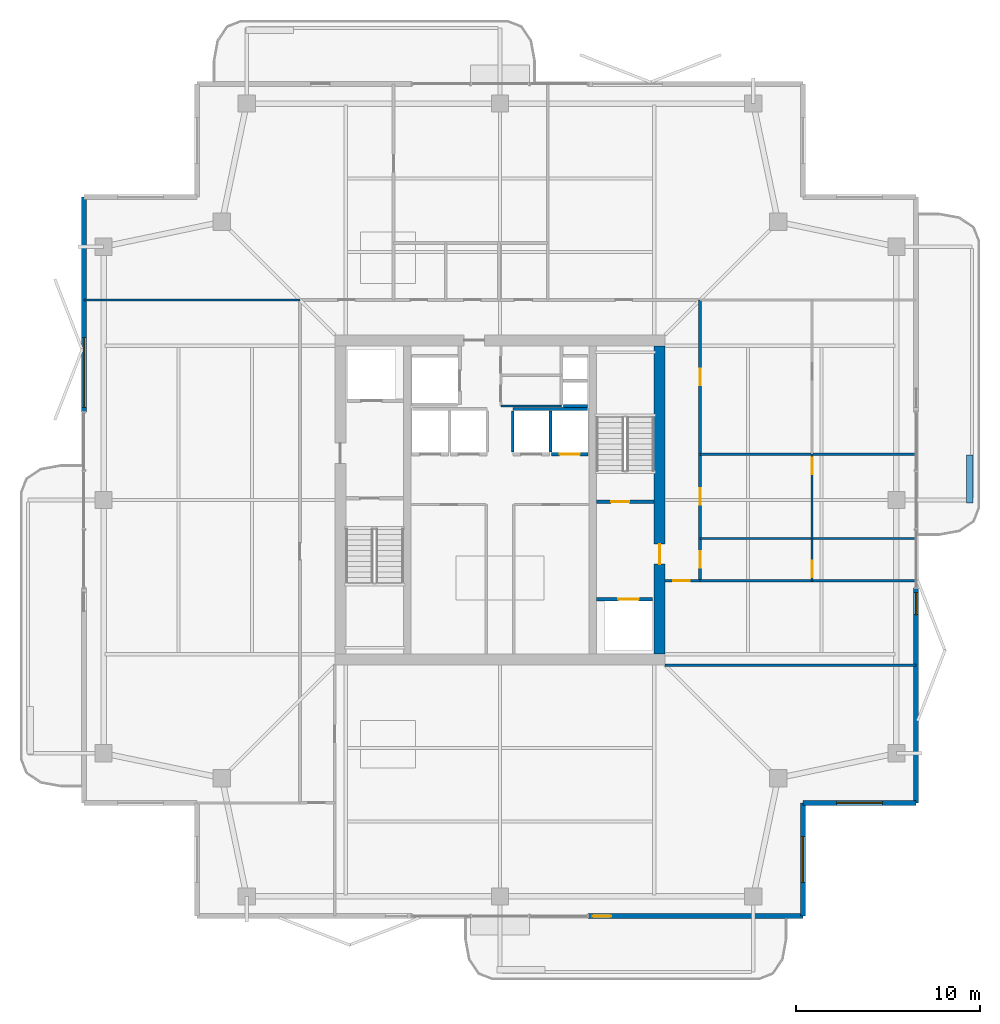
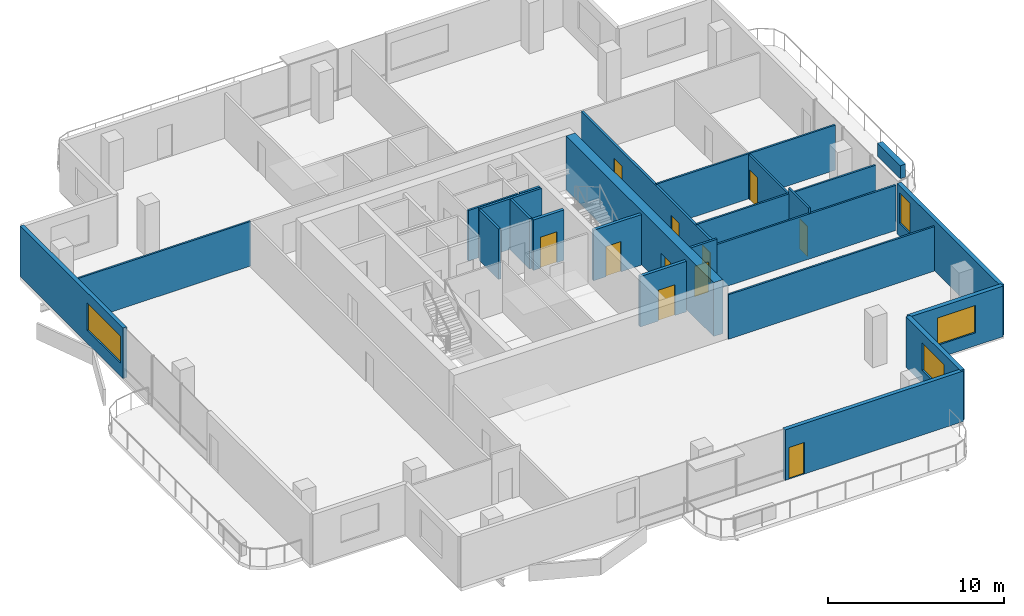
# One storey, part 13 of 18: 24 walls, 11 doors, 4 windows, 15 openings.
"""IFC4 building model written with IfcOpenShell, lengths in metres."""

from ifc_helpers import new_model, si_unit, direction, frame, frame_2d, origin, place, context, subcontext, project, spatial, rectangle, extrude, material, layer, layer_set, type_object, element, fill, save


model = new_model("IFC4")

# Units and contexts
model_context = context("Model", 3, precision=1e-05, world=origin(), true_north=direction((0.0, 1.0)))
body_context = subcontext(model_context, "Body", "Model", "MODEL_VIEW")
ifc_project = project(units=[si_unit("LENGTHUNIT", "METRE"), si_unit("AREAUNIT", "SQUARE_METRE"), si_unit("VOLUMEUNIT", "CUBIC_METRE"), si_unit("PLANEANGLEUNIT", "RADIAN"), si_unit("MASSUNIT", "GRAM", prefix="KILO")], contexts=[model_context])

# Site, building, storey
site_placement = place(None, origin())
site = spatial("IfcSite", under=ifc_project, at=site_placement, CompositionType="ELEMENT")
building_placement = place(site_placement, origin())
building = spatial("IfcBuilding", under=site, at=building_placement, Name="Belovzor Exchange Tower", CompositionType="ELEMENT")
storey_placement = place(building_placement, frame((0.0, 0.0, 318.0)))
storey = spatial("IfcBuildingStorey", under=building, at=storey_placement, Name="L79", CompositionType="ELEMENT", Elevation=318.0)

# Walls
ifc_material_1 = material(Name="Acoustic Plasterboard on Galvanised Studs", Category="gypsum")
ifc_layer_1 = layer(ifc_material_1, 0.1201171875)
ifc_layer_set_1 = layer_set([ifc_layer_1], Name="Acoustic Plasterboard on Galvanised Studs")
wall_type_1 = type_object("IfcWallType", Name="Acoustic Double-Stud Partition Wall 120", PredefinedType="PARTITIONING", material=ifc_layer_set_1)
wall_1_placement = place(storey_placement, frame((37.800048828125, 19.800048828125, 0.0), z_axis=(0.0, 0.0, 1.0), x_axis=(1.0, 0.0, 0.0)))
element("IfcWall", 1, at=wall_1_placement, inside=storey, type_object=wall_type_1, Name="W-P120 Partition Wall W-L79-ESS", PredefinedType="PARTITIONING", context=body_context, shape_type="SweptSolid", body=[
    extrude(rectangle(XDim=13.669921875, YDim=0.1201171875, at=frame_2d((6.8349609375, 0.0))), origin(), (0.0, 0.0, 1.0), 3.094970703125),
])
wall_2_placement = place(storey_placement, frame((39.699951171875, 24.39990234375, 0.0), z_axis=(0.0, 0.0, 1.0), x_axis=(1.0, 0.0, 0.0)))
element("IfcWall", 2, at=wall_2_placement, inside=storey, type_object=wall_type_1, Name="W-P120 Partition Wall W-L79-ESN", PredefinedType="PARTITIONING", context=body_context, shape_type="SweptSolid", body=[
    extrude(rectangle(XDim=11.77001953125, YDim=0.1201171875, at=frame_2d((5.885009765625, 0.0))), origin(), (0.0, 0.0, 1.0), 3.135009765625),
])

# Wall, opening, door
wall_3_placement = place(storey_placement, frame((45.802978515625, 24.39990234375, 0.0), z_axis=(0.0, 0.0, 1.0), x_axis=(0.0, 1.0, 0.0)))
wall_3 = element("IfcWall", 3, at=wall_3_placement, inside=storey, type_object=wall_type_1, Name="W-P120 Partition Wall W-L79-EHDIV-0", PredefinedType="PARTITIONING", context=body_context, shape_type="SweptSolid", body=[
    extrude(rectangle(XDim=2.300048828125, YDim=0.1201171875, at=frame_2d((1.14990234375, 0.0))), origin(), (0.0, 0.0, 1.0), 3.510009765625),
])
opening_1_placement = place(wall_3_placement, frame((0.199951171875, 0.0, 0.0)))
opening_1 = element("IfcOpeningElement", 4, at=opening_1_placement, cuts=wall_3, Name="Opening D-INT-090", PredefinedType="OPENING", context=body_context, shape_type="SweptSolid", body=[
    extrude(rectangle(XDim=0.89990234375, YDim=2.10009765625, at=frame_2d((0.449951171875, 1.050048828125))), frame((0.0, 0.070068359375, 0.0), z_axis=(0.0, -1.0, 0.0), x_axis=(1.0, 0.0, 0.0)), (0.0, 0.0, 1.0), 0.14013671875),
])
ifc_material_2 = material(Name="Veneered Hardwood Acoustic Leaf", Category="wood")
door_type_1 = type_object("IfcDoorType", Name="Trading Suite Acoustic Single Door 900x2100", OperationType="NOTDEFINED", PredefinedType="DOOR", material=ifc_material_2)
door_1_placement = place(opening_1_placement, origin())
door_1 = element("IfcDoor", 5, at=door_1_placement, inside=storey, type_object=door_type_1, Name="D-INT-090 Trading Suite Acoustic Single Door 900x2100", OperationType="SINGLE_SWING_RIGHT", OverallHeight=2.10009765625, OverallWidth=0.89990234375, PredefinedType="DOOR", context=body_context, shape_type="SweptSolid", body=[
    extrude(rectangle(XDim=0.89990234375, YDim=2.10009765625, at=frame_2d((0.449951171875, 1.050048828125))), frame((0.0, 0.02490234375, 0.0), z_axis=(0.0, -1.0, 0.0), x_axis=(1.0, 0.0, 0.0)), (0.0, 0.0, 1.0), 0.050048828125),
])
fill(opening_1, door_1)

# Wall
wall_4_placement = place(storey_placement, frame((39.699951171875, 26.699951171875, 0.0), z_axis=(0.0, 0.0, 1.0), x_axis=(1.0, 0.0, 0.0)))
element("IfcWall", 6, at=wall_4_placement, inside=storey, type_object=wall_type_1, Name="W-P120 Partition Wall W-L79-EDIV-1", PredefinedType="PARTITIONING", context=body_context, shape_type="SweptSolid", body=[
    extrude(rectangle(XDim=11.77001953125, YDim=0.1201171875, at=frame_2d((5.885009765625, 0.0))), origin(), (0.0, 0.0, 1.0), 3.135009765625),
])

# Wall, opening, door
wall_5_placement = place(storey_placement, frame((45.802978515625, 26.699951171875, 0.0), z_axis=(0.0, 0.0, 1.0), x_axis=(0.0, 1.0, 0.0)))
wall_5 = element("IfcWall", 7, at=wall_5_placement, inside=storey, type_object=wall_type_1, Name="W-P120 Partition Wall W-L79-EHDIV-1", PredefinedType="PARTITIONING", context=body_context, shape_type="SweptSolid", body=[
    extrude(rectangle(XDim=4.594970703125, YDim=0.1201171875, at=frame_2d((2.29736328125, 0.0))), origin(), (0.0, 0.0, 1.0), 3.094970703125),
])
opening_2_placement = place(wall_5_placement, frame((3.4951171875, 0.0, 0.0)))
opening_2 = element("IfcOpeningElement", 8, at=opening_2_placement, cuts=wall_5, Name="Opening D-INT-090", PredefinedType="OPENING", context=body_context, shape_type="SweptSolid", body=[
    extrude(rectangle(XDim=0.89990234375, YDim=2.10009765625, at=frame_2d((0.449951171875, 1.050048828125))), frame((0.0, 0.070068359375, 0.0), z_axis=(0.0, -1.0, 0.0), x_axis=(1.0, 0.0, 0.0)), (0.0, 0.0, 1.0), 0.14013671875),
])
door_2_placement = place(opening_2_placement, origin())
door_2 = element("IfcDoor", 9, at=door_2_placement, inside=storey, type_object=door_type_1, Name="D-INT-090 Trading Suite Acoustic Single Door 900x2100", OperationType="SINGLE_SWING_RIGHT", OverallHeight=2.10009765625, OverallWidth=0.89990234375, PredefinedType="DOOR", context=body_context, shape_type="SweptSolid", body=[
    extrude(rectangle(XDim=0.89990234375, YDim=2.10009765625, at=frame_2d((0.449951171875, 1.050048828125))), frame((0.0, 0.02490234375, 0.0), z_axis=(0.0, -1.0, 0.0), x_axis=(1.0, 0.0, 0.0)), (0.0, 0.0, 1.0), 0.050048828125),
])
fill(opening_2, door_2)

# Walls
wall_6_placement = place(storey_placement, frame((39.699951171875, 31.294921875, 0.0), z_axis=(0.0, 0.0, 1.0), x_axis=(1.0, 0.0, 0.0)))
element("IfcWall", 10, at=wall_6_placement, inside=storey, type_object=wall_type_1, Name="W-P120 Partition Wall W-L79-EDIV-2", PredefinedType="PARTITIONING", context=body_context, shape_type="SweptSolid", body=[
    extrude(rectangle(XDim=11.77001953125, YDim=0.1201171875, at=frame_2d((5.885009765625, 0.0))), origin(), (0.0, 0.0, 1.0), 3.135009765625),
])
wall_7_placement = place(storey_placement, frame((6.1298828125, 39.699951171875, 0.0), z_axis=(0.0, 0.0, 1.0), x_axis=(1.0, 0.0, 0.0)))
element("IfcWall", 11, at=wall_7_placement, inside=storey, type_object=wall_type_1, Name="W-P120 Partition Wall W-L79-END-NW", PredefinedType="PARTITIONING", context=body_context, shape_type="SweptSolid", body=[
    extrude(rectangle(XDim=11.77001953125, YDim=0.1201171875, at=frame_2d((5.885009765625, 0.0))), origin(), (0.0, 0.0, 1.0), 3.094970703125),
])
ifc_material_3 = material(Name="Fire-Rated Plasterboard on Galvanised Studs", Category="gypsum")
ifc_layer_2 = layer(ifc_material_3, 0.1201171875)
ifc_layer_set_2 = layer_set([ifc_layer_2], Name="Fire-Rated Plasterboard on Galvanised Studs")
wall_type_2 = type_object("IfcWallType", Name="Fire-Rated Double-Stud Partition Wall 120", PredefinedType="PARTITIONING", material=ifc_layer_set_2)
wall_8_placement = place(storey_placement, frame((28.85009765625, 33.925048828125, 0.0), z_axis=(0.0, 0.0, 1.0), x_axis=(1.0, 0.0, 0.0)))
element("IfcWall", 12, at=wall_8_placement, inside=storey, type_object=wall_type_2, Name="W-P120F Partition Wall W-CRV-L79-S", PredefinedType="PARTITIONING", context=body_context, shape_type="SweptSolid", body=[
    extrude(rectangle(XDim=3.2998046875, YDim=0.1201171875, at=frame_2d((1.64990234375, 0.0))), origin(), (0.0, 0.0, 1.0), 3.510009765625),
])

# Wall, opening, door
ifc_material_4 = material(Name="Fire-Rated Gypsum Block and Mineral Wool", Category="gypsum")
ifc_layer_3 = layer(ifc_material_4, 0.14990234375)
ifc_layer_set_3 = layer_set([ifc_layer_3], Name="Fire-Rated Gypsum Block and Mineral Wool")
wall_type_3 = type_object("IfcWallType", Name="Fire-Rated Gypsum Block Corridor Wall 150", PredefinedType="PARTITIONING", material=ifc_layer_set_3)
wall_9_placement = place(storey_placement, frame((37.800048828125, 24.39990234375, 0.0), z_axis=(0.0, 0.0, 1.0), x_axis=(1.0, 0.0, 0.0)))
wall_9 = element("IfcWall", 13, at=wall_9_placement, inside=storey, type_object=wall_type_3, Name="W-P150 Partition Wall W-L79-CE-END", PredefinedType="PARTITIONING", context=body_context, shape_type="SweptSolid", body=[
    extrude(rectangle(XDim=1.89990234375, YDim=0.14990234375, at=frame_2d((0.949951171875, 0.0))), origin(), (0.0, 0.0, 1.0), 3.510009765625),
])
opening_3_placement = place(wall_9_placement, frame((0.449951171875, 0.0, 0.0)))
opening_3 = element("IfcOpeningElement", 14, at=opening_3_placement, cuts=wall_9, Name="Opening D-FD60-090", PredefinedType="OPENING", context=body_context, shape_type="SweptSolid", body=[
    extrude(rectangle(XDim=0.89990234375, YDim=2.10009765625, at=frame_2d((0.449951171875, 1.050048828125))), frame((0.0, 0.0849609375, 0.0), z_axis=(0.0, -1.0, 0.0), x_axis=(1.0, 0.0, 0.0)), (0.0, 0.0, 1.0), 0.169921875),
])
ifc_material_5 = material(Name="Acoustic Timber Fire Leaf", Category="wood")
door_type_2 = type_object("IfcDoorType", Name="Core Service & Restroom Fire Door 900x2100", OperationType="NOTDEFINED", PredefinedType="DOOR", material=ifc_material_5)
door_3_placement = place(opening_3_placement, origin())
door_3 = element("IfcDoor", 15, at=door_3_placement, inside=storey, type_object=door_type_2, Name="D-FD60-090 Core Service & Restroom Fire Door 900x2100", OperationType="SINGLE_SWING_LEFT", OverallHeight=2.10009765625, OverallWidth=0.89990234375, PredefinedType="DOOR", context=body_context, shape_type="SweptSolid", body=[
    extrude(rectangle(XDim=0.89990234375, YDim=2.10009765625, at=frame_2d((0.449951171875, 1.050048828125))), frame((0.0, 0.02490234375, 0.0), z_axis=(0.0, -1.0, 0.0), x_axis=(1.0, 0.0, 0.0)), (0.0, 0.0, 1.0), 0.050048828125),
])
fill(opening_3, door_3)

# Wall, openings, doors
wall_10_placement = place(storey_placement, frame((39.699951171875, 24.39990234375, 0.0), z_axis=(0.0, 0.0, 1.0), x_axis=(0.0, 1.0, 0.0)))
wall_10 = element("IfcWall", 16, at=wall_10_placement, inside=storey, type_object=wall_type_3, Name="W-P150 Partition Wall W-L79-CE", PredefinedType="PARTITIONING", context=body_context, shape_type="SweptSolid", body=[
    extrude(rectangle(XDim=15.300048828125, YDim=0.14990234375, at=frame_2d((7.64990234375, 0.0))), origin(), (0.0, 0.0, 1.0), 3.094970703125),
])
opening_4_placement = place(wall_10_placement, frame((0.699951171875, 0.0, 0.0)))
opening_4 = element("IfcOpeningElement", 17, at=opening_4_placement, cuts=wall_10, Name="Opening D-INT-090", PredefinedType="OPENING", context=body_context, shape_type="SweptSolid", body=[
    extrude(rectangle(XDim=0.89990234375, YDim=2.10009765625, at=frame_2d((0.449951171875, 1.050048828125))), frame((0.0, 0.0849609375, 0.0), z_axis=(0.0, -1.0, 0.0), x_axis=(1.0, 0.0, 0.0)), (0.0, 0.0, 1.0), 0.169921875),
])
opening_5_placement = place(wall_10_placement, frame((4.14794921875, 0.0, 0.0)))
opening_5 = element("IfcOpeningElement", 18, at=opening_5_placement, cuts=wall_10, Name="Opening D-INT-090", PredefinedType="OPENING", context=body_context, shape_type="SweptSolid", body=[
    extrude(rectangle(XDim=0.89990234375, YDim=2.10009765625, at=frame_2d((0.449951171875, 1.050048828125))), frame((0.0, 0.0849609375, 0.0), z_axis=(0.0, -1.0, 0.0), x_axis=(1.0, 0.0, 0.0)), (0.0, 0.0, 1.0), 0.169921875),
])
opening_6_placement = place(wall_10_placement, frame((10.64794921875, 0.0, 0.0)))
opening_6 = element("IfcOpeningElement", 19, at=opening_6_placement, cuts=wall_10, Name="Opening D-INT-090", PredefinedType="OPENING", context=body_context, shape_type="SweptSolid", body=[
    extrude(rectangle(XDim=0.89990234375, YDim=2.10009765625, at=frame_2d((0.449951171875, 1.050048828125))), frame((0.0, 0.0849609375, 0.0), z_axis=(0.0, -1.0, 0.0), x_axis=(1.0, 0.0, 0.0)), (0.0, 0.0, 1.0), 0.169921875),
])
door_4_placement = place(opening_4_placement, origin())
door_4 = element("IfcDoor", 20, at=door_4_placement, inside=storey, type_object=door_type_1, Name="D-INT-090 Trading Suite Acoustic Single Door 900x2100", OperationType="SINGLE_SWING_LEFT", OverallHeight=2.10009765625, OverallWidth=0.89990234375, PredefinedType="DOOR", context=body_context, shape_type="SweptSolid", body=[
    extrude(rectangle(XDim=0.89990234375, YDim=2.10009765625, at=frame_2d((0.449951171875, 1.050048828125))), frame((0.0, 0.02490234375, 0.0), z_axis=(0.0, -1.0, 0.0), x_axis=(1.0, 0.0, 0.0)), (0.0, 0.0, 1.0), 0.050048828125),
])
fill(opening_4, door_4)
door_5_placement = place(opening_5_placement, origin())
door_5 = element("IfcDoor", 21, at=door_5_placement, inside=storey, type_object=door_type_1, Name="D-INT-090 Trading Suite Acoustic Single Door 900x2100", OperationType="SINGLE_SWING_RIGHT", OverallHeight=2.10009765625, OverallWidth=0.89990234375, PredefinedType="DOOR", context=body_context, shape_type="SweptSolid", body=[
    extrude(rectangle(XDim=0.89990234375, YDim=2.10009765625, at=frame_2d((0.449951171875, 1.050048828125))), frame((0.0, 0.02490234375, 0.0), z_axis=(0.0, -1.0, 0.0), x_axis=(1.0, 0.0, 0.0)), (0.0, 0.0, 1.0), 0.050048828125),
])
fill(opening_5, door_5)
door_6_placement = place(opening_6_placement, origin())
door_6 = element("IfcDoor", 22, at=door_6_placement, inside=storey, type_object=door_type_1, Name="D-INT-090 Trading Suite Acoustic Single Door 900x2100", OperationType="SINGLE_SWING_LEFT", OverallHeight=2.10009765625, OverallWidth=0.89990234375, PredefinedType="DOOR", context=body_context, shape_type="SweptSolid", body=[
    extrude(rectangle(XDim=0.89990234375, YDim=2.10009765625, at=frame_2d((0.449951171875, 1.050048828125))), frame((0.0, 0.02490234375, 0.0), z_axis=(0.0, -1.0, 0.0), x_axis=(1.0, 0.0, 0.0)), (0.0, 0.0, 1.0), 0.050048828125),
])
fill(opening_6, door_6)

# Wall, opening, window
ifc_material_6 = material(Name="Precast concrete C40/50", Category="concrete")
ifc_layer_4 = layer(ifc_material_6, 0.280029296875)
ifc_layer_set_4 = layer_set([ifc_layer_4], Name="Precast concrete C40/50")
wall_type_4 = type_object("IfcWallType", Name="Precast Concrete Notched Corner Frame Wall 280", PredefinedType="SOLIDWALL", material=ifc_layer_set_4)
wall_11_placement = place(storey_placement, frame((51.469970703125, 12.300048828125, 0.0), z_axis=(0.0, 0.0, 1.0), x_axis=(-1.0, 0.0, 0.0)))
wall_11 = element("IfcWall", 23, at=wall_11_placement, inside=storey, type_object=wall_type_4, Name="W-CRN280 Precast Concrete Notched Corner Frame Wall 280 L79", PredefinedType="SOLIDWALL", context=body_context, shape_type="SweptSolid", body=[
    extrude(rectangle(XDim=6.169921875, YDim=0.280029296875, at=frame_2d((3.0849609375, 0.0))), origin(), (0.0, 0.0, 1.0), 3.510009765625),
])
opening_7_placement = place(wall_11_placement, frame((1.8349609375, 0.0, 0.89990234375)))
opening_7 = element("IfcOpeningElement", 24, at=opening_7_placement, cuts=wall_11, Name="Opening WN-CRN250", PredefinedType="OPENING", context=body_context, shape_type="SweptSolid", body=[
    extrude(rectangle(XDim=2.5, YDim=1.89990234375, at=frame_2d((1.25, 0.949951171875))), frame((0.0, 0.14990234375, 0.0), z_axis=(0.0, -1.0, 0.0), x_axis=(1.0, 0.0, 0.0)), (0.0, 0.0, 1.0), 0.300048828125),
])
ifc_material_7 = material(Name="Thermally Broken Aluminium and Triple Glazing", Category="aluminium")
window_type_1 = type_object("IfcWindowType", Name="Streamline Moderne Corner Wrap Ribbon Window 2500x1900", PartitioningType="SINGLE_PANEL", PredefinedType="WINDOW", material=ifc_material_7)
window_1_placement = place(opening_7_placement, origin())
window_1 = element("IfcWindow", 25, at=window_1_placement, inside=storey, type_object=window_type_1, Name="WN-CRN250 Streamline Moderne Corner Wrap Ribbon Window 2500x1900", OverallHeight=1.89990234375, OverallWidth=2.5, PartitioningType="SINGLE_PANEL", PredefinedType="WINDOW", context=body_context, shape_type="SweptSolid", body=[
    extrude(rectangle(XDim=2.5, YDim=1.89990234375, at=frame_2d((1.25, 0.949951171875))), frame((0.0, 0.030029296875, 0.0), z_axis=(0.0, -1.0, 0.0), x_axis=(1.0, 0.0, 0.0)), (0.0, 0.0, 1.0), 0.06005859375),
])
fill(opening_7, window_1)

wall_12_placement = place(storey_placement, frame((45.300048828125, 12.300048828125, 0.0), z_axis=(0.0, 0.0, 1.0), x_axis=(0.0, -1.0, 0.0)))
wall_12 = element("IfcWall", 26, at=wall_12_placement, inside=storey, type_object=wall_type_4, Name="W-CRN280 Precast Concrete Notched Corner Frame Wall 280 L79", PredefinedType="SOLIDWALL", context=body_context, shape_type="SweptSolid", body=[
    extrude(rectangle(XDim=6.170166015625, YDim=0.280029296875, at=frame_2d((3.0849609375, 0.0))), origin(), (0.0, 0.0, 1.0), 3.510009765625),
])
opening_8_placement = place(wall_12_placement, frame((1.8349609375, 0.0, 0.89990234375)))
opening_8 = element("IfcOpeningElement", 27, at=opening_8_placement, cuts=wall_12, Name="Opening WN-CRN250", PredefinedType="OPENING", context=body_context, shape_type="SweptSolid", body=[
    extrude(rectangle(XDim=2.5, YDim=1.89990234375, at=frame_2d((1.25, 0.949951171875))), frame((0.0, 0.14990234375, 0.0), z_axis=(0.0, -1.0, 0.0), x_axis=(1.0, 0.0, 0.0)), (0.0, 0.0, 1.0), 0.300048828125),
])
window_2_placement = place(opening_8_placement, origin())
window_2 = element("IfcWindow", 28, at=window_2_placement, inside=storey, type_object=window_type_1, Name="WN-CRN250 Streamline Moderne Corner Wrap Ribbon Window 2500x1900", OverallHeight=1.89990234375, OverallWidth=2.5, PartitioningType="SINGLE_PANEL", PredefinedType="WINDOW", context=body_context, shape_type="SweptSolid", body=[
    extrude(rectangle(XDim=2.5, YDim=1.89990234375, at=frame_2d((1.25, 0.949951171875))), frame((0.0, 0.030029296875, 0.0), z_axis=(0.0, -1.0, 0.0), x_axis=(1.0, 0.0, 0.0)), (0.0, 0.0, 1.0), 0.06005859375),
])
fill(opening_8, window_2)

# Wall, opening, door
ifc_material_8 = material(Name="Precast concrete C40/50", Category="concrete")
ifc_layer_5 = layer(ifc_material_8, 0.260009765625)
ifc_layer_set_5 = layer_set([ifc_layer_5], Name="Precast concrete C40/50")
wall_type_5 = type_object("IfcWallType", Name="Precast Concrete Perimeter Loggia Frame Wall 260", PredefinedType="SOLIDWALL", material=ifc_layer_set_5)
wall_13_placement = place(storey_placement, frame((45.300048828125, 6.1298828125, 0.0), z_axis=(0.0, 0.0, 1.0), x_axis=(-1.0, 0.0, 0.0)))
wall_13 = element("IfcWall", 29, at=wall_13_placement, inside=storey, type_object=wall_type_5, Name="W-EXT260 Precast Concrete Perimeter Loggia Frame Wall 260 L79", PredefinedType="SOLIDWALL", context=body_context, shape_type="SweptSolid", body=[
    extrude(rectangle(XDim=11.699951171875, YDim=0.260009765625, at=frame_2d((5.85009765625, 0.0))), origin(), (0.0, 0.0, 1.0), 3.510009765625),
])
opening_9_placement = place(wall_13_placement, frame((10.449951171875, 0.0, 0.0)))
opening_9 = element("IfcOpeningElement", 30, at=opening_9_placement, cuts=wall_13, Name="Opening D-BAL100", PredefinedType="OPENING", context=body_context, shape_type="SweptSolid", body=[
    extrude(rectangle(XDim=1.0, YDim=2.199951171875, at=frame_2d((0.5, 1.10009765625))), frame((0.0, 0.139892578125, 0.0), z_axis=(0.0, -1.0, 0.0), x_axis=(1.0, 0.0, 0.0)), (0.0, 0.0, 1.0), 0.280029296875),
])
ifc_material_9 = material(Name="Thermally Broken Anodised Aluminium and Laminated Glass", Category="aluminium")
door_type_3 = type_object("IfcDoorType", Name="Planted Loggia Terrace Glazed Door 1000x2200", OperationType="SINGLE_SWING_LEFT", PredefinedType="DOOR", material=ifc_material_9)
door_7_placement = place(opening_9_placement, origin())
door_7 = element("IfcDoor", 31, at=door_7_placement, inside=storey, type_object=door_type_3, Name="D-BAL100 Balcony Terrace Door L79 S", OperationType="SINGLE_SWING_LEFT", OverallHeight=2.199951171875, OverallWidth=1.0, PredefinedType="DOOR", context=body_context, shape_type="SweptSolid", body=[
    extrude(rectangle(XDim=1.0, YDim=2.199951171875, at=frame_2d((0.5, 1.10009765625))), frame((0.0, 0.02490234375, 0.0), z_axis=(0.0, -1.0, 0.0), x_axis=(1.0, 0.0, 0.0)), (0.0, 0.0, 1.0), 0.050048828125),
])
fill(opening_9, door_7)

# Wall, opening, window
wall_14_placement = place(storey_placement, frame((6.1298828125, 33.60009765625, 0.0), z_axis=(0.0, 0.0, 1.0), x_axis=(0.0, 1.0, 0.0)))
wall_14 = element("IfcWall", 32, at=wall_14_placement, inside=storey, type_object=wall_type_5, Name="W-EXT260 Precast Concrete Perimeter Loggia Frame Wall 260 L79", PredefinedType="SOLIDWALL", context=body_context, shape_type="SweptSolid", body=[
    extrude(rectangle(XDim=11.699951171875, YDim=0.260009765625, at=frame_2d((5.85009765625, 0.0))), origin(), (0.0, 0.0, 1.0), 3.510009765625),
])
opening_10_placement = place(wall_14_placement, frame((0.25, 0.0, 0.89990234375)))
opening_10 = element("IfcOpeningElement", 33, at=opening_10_placement, cuts=wall_14, Name="Opening WN-RIB380", PredefinedType="OPENING", context=body_context, shape_type="SweptSolid", body=[
    extrude(rectangle(XDim=3.800048828125, YDim=1.89990234375, at=frame_2d((1.89990234375, 0.949951171875))), frame((0.0, 0.139892578125, 0.0), z_axis=(0.0, -1.0, 0.0), x_axis=(1.0, 0.0, 0.0)), (0.0, 0.0, 1.0), 0.280029296875),
])
ifc_material_10 = material(Name="Thermally Broken Aluminium and Triple Glazing", Category="aluminium")
window_type_2 = type_object("IfcWindowType", Name="Streamline Moderne Horizontal Ribbon Window 3800x1900", PartitioningType="SINGLE_PANEL", PredefinedType="WINDOW", material=ifc_material_10)
window_3_placement = place(opening_10_placement, origin())
window_3 = element("IfcWindow", 34, at=window_3_placement, inside=storey, type_object=window_type_2, Name="WN-RIB380 Streamline Moderne Horizontal Ribbon Window 3800x1900", OverallHeight=1.89990234375, OverallWidth=3.800048828125, PartitioningType="SINGLE_PANEL", PredefinedType="WINDOW", context=body_context, shape_type="SweptSolid", body=[
    extrude(rectangle(XDim=3.800048828125, YDim=1.89990234375, at=frame_2d((1.89990234375, 0.949951171875))), frame((0.0, 0.030029296875, 0.0), z_axis=(0.0, -1.0, 0.0), x_axis=(1.0, 0.0, 0.0)), (0.0, 0.0, 1.0), 0.06005859375),
])
fill(opening_10, window_3)

wall_15_placement = place(storey_placement, frame((51.469970703125, 24.0, 0.0), z_axis=(0.0, 0.0, 1.0), x_axis=(0.0, -1.0, 0.0)))
wall_15 = element("IfcWall", 35, at=wall_15_placement, inside=storey, type_object=wall_type_5, Name="W-EXT260 Precast Concrete Perimeter Loggia Frame Wall 260 L79", PredefinedType="SOLIDWALL", context=body_context, shape_type="SweptSolid", body=[
    extrude(rectangle(XDim=11.699951171875, YDim=0.260009765625, at=frame_2d((5.85009765625, 0.0))), origin(), (0.0, 0.0, 1.0), 3.510009765625),
])
opening_11_placement = place(wall_15_placement, frame((0.25, 0.0, 0.89990234375)))
opening_11 = element("IfcOpeningElement", 36, at=opening_11_placement, cuts=wall_15, Name="Opening WN-CRN120", PredefinedType="OPENING", context=body_context, shape_type="SweptSolid", body=[
    extrude(rectangle(XDim=1.199951171875, YDim=2.10009765625, at=frame_2d((0.60009765625, 1.050048828125))), frame((0.0, 0.139892578125, 0.0), z_axis=(0.0, -1.0, 0.0), x_axis=(1.0, 0.0, 0.0)), (0.0, 0.0, 1.0), 0.280029296875),
])
ifc_material_11 = material(Name="Thermally Broken Aluminium and Triple Glazing", Category="aluminium")
window_type_3 = type_object("IfcWindowType", Name="Streamline Notched Corner Window 1200x2100", PartitioningType="SINGLE_PANEL", PredefinedType="WINDOW", material=ifc_material_11)
window_4_placement = place(opening_11_placement, origin())
window_4 = element("IfcWindow", 37, at=window_4_placement, inside=storey, type_object=window_type_3, Name="WN-CRN120 Streamline Notched Corner Window 1200x2100", OverallHeight=2.10009765625, OverallWidth=1.199951171875, PartitioningType="SINGLE_PANEL", PredefinedType="WINDOW", context=body_context, shape_type="SweptSolid", body=[
    extrude(rectangle(XDim=1.199951171875, YDim=2.10009765625, at=frame_2d((0.60009765625, 1.050048828125))), frame((0.0, 0.030029296875, 0.0), z_axis=(0.0, -1.0, 0.0), x_axis=(1.0, 0.0, 0.0)), (0.0, 0.0, 1.0), 0.06005859375),
])
fill(opening_11, window_4)

# Walls
ifc_material_12 = material(Name="Precast concrete C40/50", Category="concrete")
ifc_layer_6 = layer(ifc_material_12, 0.35009765625)
ifc_layer_set_6 = layer_set([ifc_layer_6], Name="Precast concrete C40/50")
wall_type_6 = type_object("IfcWallType", Name="Precast Concrete Structural Tree Planter Trough 350", PredefinedType="PARAPET", material=ifc_layer_set_6)
wall_16_placement = place(storey_placement, frame((54.39990234375, 28.64990234375, 0.0), z_axis=(0.0, 0.0, 1.0), x_axis=(0.0, 1.0, 0.0)))
element("IfcWall", 38, at=wall_16_placement, inside=storey, type_object=wall_type_6, Name="PT-350 Precast Concrete Structural Tree Planter Trough 350 L79", PredefinedType="PARAPET", context=body_context, shape_type="SweptSolid", body=[
    extrude(rectangle(XDim=2.60009765625, YDim=0.35009765625, at=frame_2d((1.300048828125, 0.0))), origin(), (0.0, 0.0, 1.0), 0.89990234375),
])
ifc_material_13 = material(Name="Concrete C50/60", Category="concrete")
ifc_layer_7 = layer(ifc_material_13, 0.14990234375)
ifc_layer_set_7 = layer_set([ifc_layer_7], Name="Concrete C50/60")
wall_type_7 = type_object("IfcWallType", Name="Reinforced Concrete Core Riser Shear Wall 150", PredefinedType="SHEAR", material=ifc_layer_set_7)
wall_17_placement = place(storey_placement, frame((32.25, 33.925048828125, 0.0), z_axis=(0.0, 0.0, 1.0), x_axis=(1.0, 0.0, 0.0)))
element("IfcWall", 39, at=wall_17_placement, inside=storey, type_object=wall_type_7, Name="W-C150S Core Shaft Wall W-RSR-L79-S", PredefinedType="SHEAR", context=body_context, shape_type="SweptSolid", body=[
    extrude(rectangle(XDim=1.330078125, YDim=0.14990234375, at=frame_2d((0.6650390625, 0.0))), origin(), (0.0, 0.0, 1.0), 3.510009765625),
])
wall_18_placement = place(storey_placement, frame((29.5, 33.760009765625, 0.0), z_axis=(0.0, 0.0, 1.0), x_axis=(1.0, 0.0, 0.0)))
element("IfcWall", 40, at=wall_18_placement, inside=storey, type_object=wall_type_7, Name="W-C150S Core Shaft Wall W-SHB-L79-PLH-NE", PredefinedType="SHEAR", context=body_context, shape_type="SweptSolid", body=[
    extrude(rectangle(XDim=4.080078125, YDim=0.14990234375, at=frame_2d((2.0400390625, 0.0))), origin(), (0.0, 0.0, 1.0), 3.510009765625),
])
for number, where, z_axis, x_axis, name in (
    (41, (29.5, 31.419921875, 0.0), (0.0, 0.0, 1.0), (0.0, 1.0, 0.0), "W-C150S Core Shaft Wall W-SHD-L79-PLH-3"),
    (42, (31.550048828125, 31.419921875, 0.0), (0.0, 0.0, 1.0), (0.0, 1.0, 0.0), "W-C150S Core Shaft Wall W-SHD-L79-PLH-4"),
):
    element("IfcWall", number, at=place(storey_placement, frame(where, z_axis=z_axis, x_axis=x_axis)), inside=storey, type_object=wall_type_7, Name=name, PredefinedType="SHEAR", context=body_context, shape_type="SweptSolid", body=[
        extrude(rectangle(XDim=2.239990234375, YDim=0.14990234375, at=frame_2d((1.1201171875, 0.0))), origin(), (0.0, 0.0, 1.0), 3.510009765625),
    ])

# Wall, opening, door
ifc_material_14 = material(Name="Concrete C50/60", Category="concrete")
ifc_layer_8 = layer(ifc_material_14, 0.199951171875)
ifc_layer_set_8 = layer_set([ifc_layer_8], Name="Concrete C50/60")
wall_type_8 = type_object("IfcWallType", Name="Reinforced Concrete Core Shaft Shear Wall 200", PredefinedType="SHEAR", material=ifc_layer_set_8)
wall_19_placement = place(storey_placement, frame((34.050048828125, 28.699951171875, 0.0), z_axis=(0.0, 0.0, 1.0), x_axis=(1.0, 0.0, 0.0)))
wall_19 = element("IfcWall", 43, at=wall_19_placement, inside=storey, type_object=wall_type_8, Name="W-C200S Core Shaft Wall W-CORE-L79-FFLE2", PredefinedType="SHEAR", context=body_context, shape_type="SweptSolid", body=[
    extrude(rectangle(XDim=3.14990234375, YDim=0.199951171875, at=frame_2d((1.574951171875, 0.0))), origin(), (0.0, 0.0, 1.0), 3.510009765625),
])
opening_12_placement = place(wall_19_placement, frame((0.800048828125, 0.0, 0.0)))
opening_12 = element("IfcOpeningElement", 44, at=opening_12_placement, cuts=wall_19, Name="Opening D-FD90-100", PredefinedType="OPENING", context=body_context, shape_type="SweptSolid", body=[
    extrude(rectangle(XDim=1.0, YDim=2.10009765625, at=frame_2d((0.5, 1.050048828125))), frame((0.0, 0.10986328125, 0.0), z_axis=(0.0, -1.0, 0.0), x_axis=(1.0, 0.0, 0.0)), (0.0, 0.0, 1.0), 0.219970703125),
])
ifc_material_15 = material(Name="Fire-Rated Galvanised Steel Leaf", Category="steel")
door_type_4 = type_object("IfcDoorType", Name="Protected Stairwell Single Fire Door 1000x2100", OperationType="NOTDEFINED", PredefinedType="DOOR", material=ifc_material_15)
door_8_placement = place(opening_12_placement, origin())
door_8 = element("IfcDoor", 45, at=door_8_placement, inside=storey, type_object=door_type_4, Name="D-FD90-100 Protected Stairwell Single Fire Door 1000x2100", OperationType="SINGLE_SWING_LEFT", OverallHeight=2.10009765625, OverallWidth=1.0, PredefinedType="DOOR", context=body_context, shape_type="SweptSolid", body=[
    extrude(rectangle(XDim=1.0, YDim=2.10009765625, at=frame_2d((0.5, 1.050048828125))), frame((0.0, 0.02490234375, 0.0), z_axis=(0.0, -1.0, 0.0), x_axis=(1.0, 0.0, 0.0)), (0.0, 0.0, 1.0), 0.050048828125),
])
fill(opening_12, door_8)

wall_20_placement = place(storey_placement, frame((34.050048828125, 23.39990234375, 0.0), z_axis=(0.0, 0.0, 1.0), x_axis=(1.0, 0.0, 0.0)))
wall_20 = element("IfcWall", 46, at=wall_20_placement, inside=storey, type_object=wall_type_8, Name="W-C200S Core Shaft Wall W-SH-L79-FFL-02", PredefinedType="SHEAR", context=body_context, shape_type="SweptSolid", body=[
    extrude(rectangle(XDim=3.050048828125, YDim=0.199951171875, at=frame_2d((1.52490234375, 0.0))), origin(), (0.0, 0.0, 1.0), 3.510009765625),
])
opening_13_placement = place(wall_20_placement, frame((1.199951171875, 0.0, 0.0)))
opening_13 = element("IfcOpeningElement", 47, at=opening_13_placement, cuts=wall_20, Name="Opening LD-110", PredefinedType="OPENING", context=body_context, shape_type="SweptSolid", body=[
    extrude(rectangle(XDim=1.10009765625, YDim=2.14990234375, at=frame_2d((0.550048828125, 1.074951171875))), frame((0.0, 0.10986328125, 0.0), z_axis=(0.0, -1.0, 0.0), x_axis=(1.0, 0.0, 0.0)), (0.0, 0.0, 1.0), 0.219970703125),
])
ifc_material_16 = material(Name="Stainless Steel Grade 304", Category="steel")
door_type_5 = type_object("IfcDoorType", Name="Automated Stainless Steel Lift Landing Door 1100x2150", OperationType="SLIDING_TO_RIGHT", PredefinedType="DOOR", material=ifc_material_16)
door_9_placement = place(opening_13_placement, origin())
door_9 = element("IfcDoor", 48, at=door_9_placement, inside=storey, type_object=door_type_5, Name="LD-110 Automated Stainless Steel Lift Landing Door 1100x2150", OperationType="SLIDING_TO_RIGHT", OverallHeight=2.14990234375, OverallWidth=1.10009765625, PredefinedType="DOOR", context=body_context, shape_type="SweptSolid", body=[
    extrude(rectangle(XDim=1.10009765625, YDim=2.14990234375, at=frame_2d((0.550048828125, 1.074951171875))), frame((0.0, 0.02490234375, 0.0), z_axis=(0.0, -1.0, 0.0), x_axis=(1.0, 0.0, 0.0)), (0.0, 0.0, 1.0), 0.050048828125),
])
fill(opening_13, door_9)

wall_21_placement = place(storey_placement, frame((31.60009765625, 31.300048828125, 0.0), z_axis=(0.0, 0.0, 1.0), x_axis=(1.0, 0.0, 0.0)))
wall_21 = element("IfcWall", 49, at=wall_21_placement, inside=storey, type_object=wall_type_8, Name="W-C200S Core Shaft Wall W-SH-L79-PL-H4", PredefinedType="SHEAR", context=body_context, shape_type="SweptSolid", body=[
    extrude(rectangle(XDim=2.0, YDim=0.199951171875, at=frame_2d((1.0, 0.0))), origin(), (0.0, 0.0, 1.0), 3.510009765625),
])
opening_14_placement = place(wall_21_placement, frame((0.449951171875, 0.0, 0.0)))
opening_14 = element("IfcOpeningElement", 50, at=opening_14_placement, cuts=wall_21, Name="Opening LD-110", PredefinedType="OPENING", context=body_context, shape_type="SweptSolid", body=[
    extrude(rectangle(XDim=1.10009765625, YDim=2.14990234375, at=frame_2d((0.550048828125, 1.074951171875))), frame((0.0, 0.10986328125, 0.0), z_axis=(0.0, -1.0, 0.0), x_axis=(1.0, 0.0, 0.0)), (0.0, 0.0, 1.0), 0.219970703125),
])
door_10_placement = place(opening_14_placement, origin())
door_10 = element("IfcDoor", 51, at=door_10_placement, inside=storey, type_object=door_type_5, Name="LD-110 Automated Stainless Steel Lift Landing Door 1100x2150", OperationType="SLIDING_TO_RIGHT", OverallHeight=2.14990234375, OverallWidth=1.10009765625, PredefinedType="DOOR", context=body_context, shape_type="SweptSolid", body=[
    extrude(rectangle(XDim=1.10009765625, YDim=2.14990234375, at=frame_2d((0.550048828125, 1.074951171875))), frame((0.0, 0.02490234375, 0.0), z_axis=(0.0, -1.0, 0.0), x_axis=(1.0, 0.0, 0.0)), (0.0, 0.0, 1.0), 0.050048828125),
])
fill(opening_14, door_10)

ifc_material_17 = material(Name="Concrete C50/60", Category="concrete")
ifc_layer_9 = layer(ifc_material_17, 0.60009765625)
ifc_layer_set_9 = layer_set([ifc_layer_9], Name="Concrete C50/60")
wall_type_9 = type_object("IfcWallType", Name="Reinforced Concrete Core Shear Wall 600", PredefinedType="SHEAR", material=ifc_layer_set_9)
wall_22_placement = place(storey_placement, frame((37.5, 20.39990234375, 0.0), z_axis=(0.0, 0.0, 1.0), x_axis=(0.0, 1.0, 0.0)))
wall_22 = element("IfcWall", 52, at=wall_22_placement, inside=storey, type_object=wall_type_9, Name="CW-S060 Core Shear Wall L79 E", PredefinedType="SHEAR", context=body_context, shape_type="SweptSolid", body=[
    extrude(rectangle(XDim=16.800048828125, YDim=0.60009765625, at=frame_2d((8.39990234375, 0.0))), origin(), (0.0, 0.0, 1.0), 3.75),
])
opening_15_placement = place(wall_22_placement, frame((4.89990234375, 0.0, 0.0)))
opening_15 = element("IfcOpeningElement", 53, at=opening_15_placement, cuts=wall_22, Name="Opening D-FD90-110", PredefinedType="OPENING", context=body_context, shape_type="SweptSolid", body=[
    extrude(rectangle(XDim=1.10009765625, YDim=2.14990234375, at=frame_2d((0.550048828125, 1.074951171875))), frame((0.0, 0.31005859375, 0.0), z_axis=(0.0, -1.0, 0.0), x_axis=(1.0, 0.0, 0.0)), (0.0, 0.0, 1.0), 0.6201171875),
])
ifc_material_18 = material(Name="Fire-Rated Galvanised Steel Leaf", Category="steel")
door_type_6 = type_object("IfcDoorType", Name="Protected Escape Vestibule Fire Door 1100x2150", OperationType="NOTDEFINED", PredefinedType="DOOR", material=ifc_material_18)
door_11_placement = place(opening_15_placement, origin())
door_11 = element("IfcDoor", 54, at=door_11_placement, inside=storey, type_object=door_type_6, Name="D-FD90-110 Protected Escape Vestibule Fire Door 1100x2150", OperationType="SINGLE_SWING_RIGHT", OverallHeight=2.14990234375, OverallWidth=1.10009765625, PredefinedType="DOOR", context=body_context, shape_type="SweptSolid", body=[
    extrude(rectangle(XDim=1.10009765625, YDim=2.14990234375, at=frame_2d((0.550048828125, 1.074951171875))), frame((0.0, 0.02490234375, 0.0), z_axis=(0.0, -1.0, 0.0), x_axis=(1.0, 0.0, 0.0)), (0.0, 0.0, 1.0), 0.050048828125),
])
fill(opening_15, door_11)

save(model, "model.ifc")
